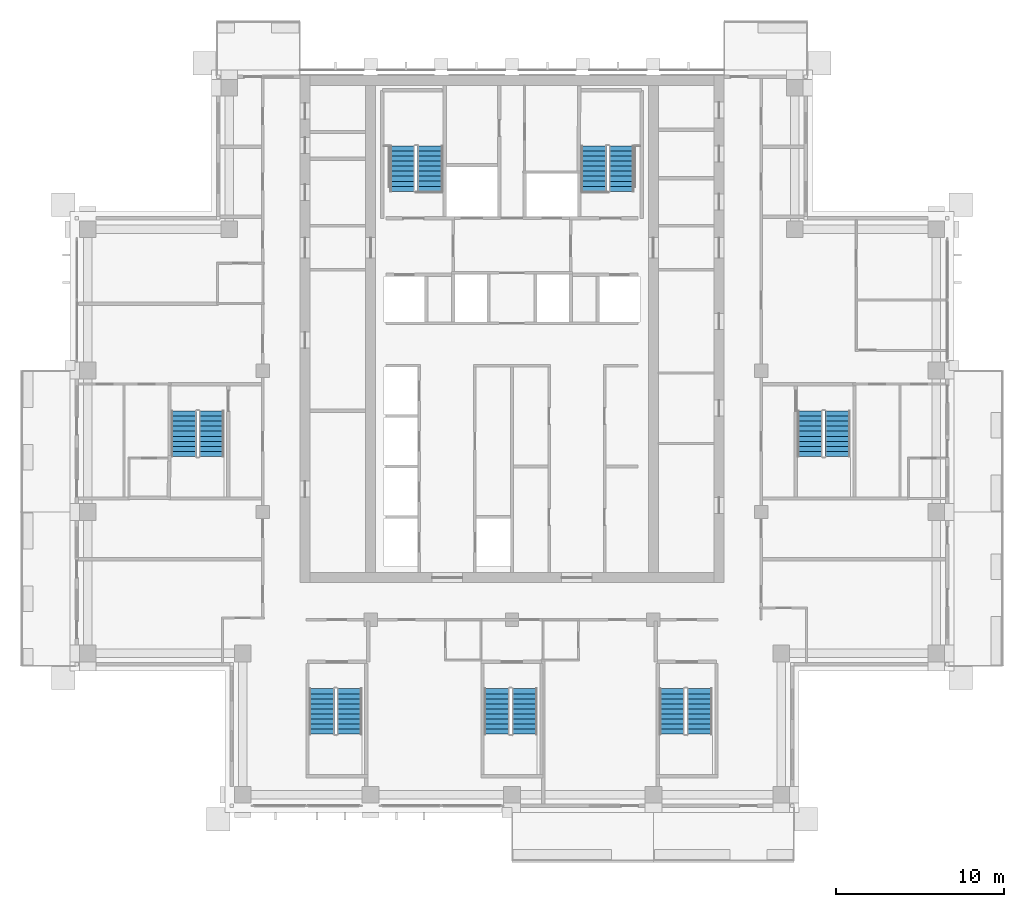
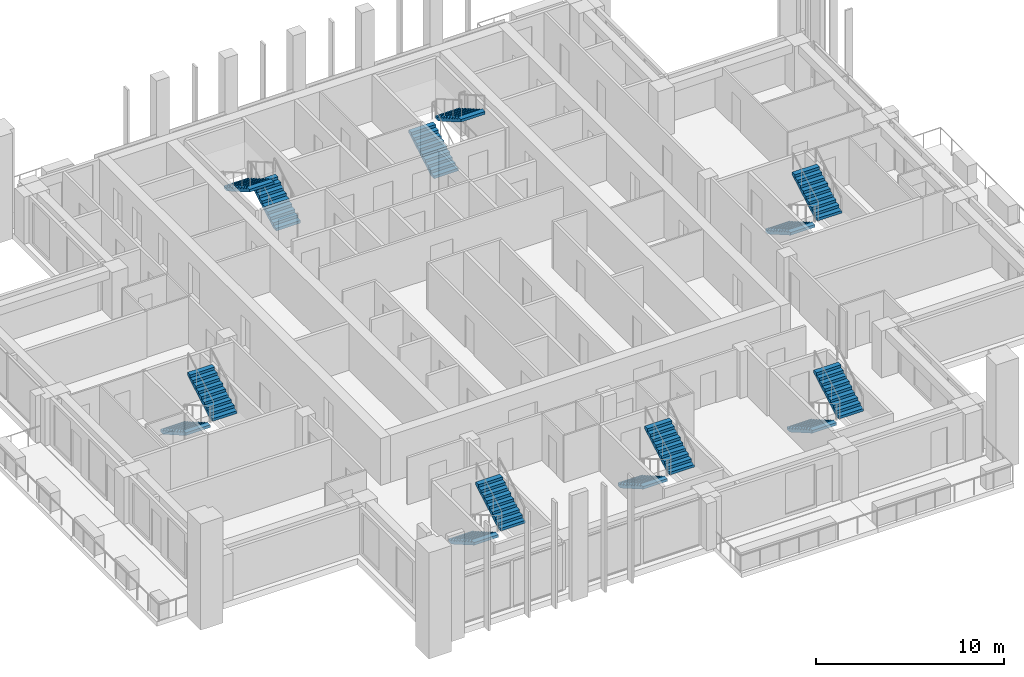
# One storey, part 14 of 18: 14 stair flights, 7 elements without a shape of their own.
"""IFC4 building model written with IfcOpenShell, lengths in metres."""

from ifc_helpers import new_model, si_unit, direction, frame, origin, place, context, subcontext, project, spatial, polyline, outline, extrude, material, type_object, element, aggregate, save


model = new_model("IFC4")

# Units and contexts
model_context = context("Model", 3, precision=1e-05, world=origin(), true_north=direction((0.0, 1.0)))
body_context = subcontext(model_context, "Body", "Model", "MODEL_VIEW")
ifc_project = project(units=[si_unit("LENGTHUNIT", "METRE"), si_unit("AREAUNIT", "SQUARE_METRE"), si_unit("VOLUMEUNIT", "CUBIC_METRE"), si_unit("PLANEANGLEUNIT", "RADIAN"), si_unit("MASSUNIT", "GRAM", prefix="KILO")], contexts=[model_context])

# Site, building, storey
site_placement = place(None, origin())
site = spatial("IfcSite", under=ifc_project, at=site_placement, CompositionType="ELEMENT")
building_placement = place(site_placement, origin())
building = spatial("IfcBuilding", under=site, at=building_placement, Name="Vermilion Ogive Tower", CompositionType="ELEMENT")
storey_placement = place(building_placement, frame((0.0, 0.0, 199.699951171875)))
storey = spatial("IfcBuildingStorey", under=building, at=storey_placement, Name="L52", CompositionType="ELEMENT", Elevation=199.699951171875)

# Stair, stair flights
ifc_material_1 = material(Name="Concrete B40", Category="concrete")
stair_type = type_object("IfcStairType", Name="Exit stair 1500", PredefinedType="HALF_TURN_STAIR", material=ifc_material_1)
stair_1_placement = place(storey_placement, origin())
stair_1 = element("IfcStair", 1, at=stair_1_placement, inside=storey, type_object=stair_type, Name="L52 Exit Stair ST1", PredefinedType="HALF_TURN_STAIR")
ifc_material_2 = material(Name="Concrete B40", Category="concrete")
stair_flight_type = type_object("IfcStairFlightType", Name="Stair flight 1500", PredefinedType="STRAIGHT", material=ifc_material_2)
stair_flight_1_placement = place(storey_placement, frame((-4.85009765625, 14.85009765625, 0.0), z_axis=(0.0, 0.0, 1.0), x_axis=(0.0, 1.0, 0.0)))
stair_flight_1 = element("IfcStairFlight", 2, at=stair_flight_1_placement, type_object=stair_flight_type, Name="ST1 flight 1", NumberOfRisers=10, NumberOfTreads=9, PredefinedType="STRAIGHT", RiserHeight=0.1725, TreadLength=0.3, context=body_context, shape_type="SweptSolid", body=[
    extrude(outline(polyline([(0.0, 0.0), (0.0, 0.172607421875), (0.300048828125, 0.172607421875), (0.300048828125, 0.344970703125), (0.60009765625, 0.344970703125), (0.60009765625, 0.517578125), (0.89990234375, 0.517578125), (0.89990234375, 0.68994140625), (1.199951171875, 0.68994140625), (1.199951171875, 0.862548828125), (1.5, 0.862548828125), (1.5, 1.034912109375), (1.800048828125, 1.034912109375), (1.800048828125, 1.20751953125), (2.10009765625, 1.20751953125), (2.10009765625, 1.3798828125), (2.39990234375, 1.3798828125), (2.39990234375, 1.552490234375), (2.699951171875, 1.552490234375), (2.699951171875, 1.72509765625), (2.699951171875, 1.379638671875), (0.30078125, 0.0), (0.0, 0.0)])), frame((0.0, 0.75, 0.0), z_axis=(0.0, -1.0, 0.0), x_axis=(1.0, 0.0, 0.0)), (0.0, 0.0, 1.0), 1.5),
])
stair_flight_2_placement = place(storey_placement, frame((-6.5, 17.550048828125, 1.72509765625), z_axis=(0.0, 0.0, 1.0), x_axis=(0.0, -1.0, 0.0)))
stair_flight_2 = element("IfcStairFlight", 3, at=stair_flight_2_placement, type_object=stair_flight_type, Name="ST1 flight 2", NumberOfRisers=10, NumberOfTreads=9, PredefinedType="STRAIGHT", RiserHeight=0.1725, TreadLength=0.3, context=body_context, shape_type="SweptSolid", body=[
    extrude(outline(polyline([(0.0, 0.0), (0.0, 0.172607421875), (0.300048828125, 0.172607421875), (0.300048828125, 0.344970703125), (0.60009765625, 0.344970703125), (0.60009765625, 0.517578125), (0.89990234375, 0.517578125), (0.89990234375, 0.68994140625), (1.199951171875, 0.68994140625), (1.199951171875, 0.862548828125), (1.5, 0.862548828125), (1.5, 1.034912109375), (1.800048828125, 1.034912109375), (1.800048828125, 1.20751953125), (2.10009765625, 1.20751953125), (2.10009765625, 1.3798828125), (2.39990234375, 1.3798828125), (2.39990234375, 1.552490234375), (2.699951171875, 1.552490234375), (2.699951171875, 1.72509765625), (2.699951171875, 1.379638671875), (0.30078125, 0.0), (0.0, 0.0)])), frame((0.0, 0.75, 0.0), z_axis=(0.0, -1.0, 0.0), x_axis=(1.0, 0.0, 0.0)), (0.0, 0.0, 1.0), 1.5),
])
aggregate(stair_1, [stair_flight_1, stair_flight_2])

stair_2_placement = place(storey_placement, origin())
stair_2 = element("IfcStair", 4, at=stair_2_placement, inside=storey, type_object=stair_type, Name="L52 Exit Stair ST2", PredefinedType="HALF_TURN_STAIR")
stair_flight_3_placement = place(storey_placement, frame((4.85009765625, 14.85009765625, 0.0), z_axis=(0.0, 0.0, 1.0), x_axis=(0.0, 1.0, 0.0)))
stair_flight_3 = element("IfcStairFlight", 5, at=stair_flight_3_placement, type_object=stair_flight_type, Name="ST2 flight 1", NumberOfRisers=10, NumberOfTreads=9, PredefinedType="STRAIGHT", RiserHeight=0.1725, TreadLength=0.3, context=body_context, shape_type="SweptSolid", body=[
    extrude(outline(polyline([(0.0, 0.0), (0.0, 0.172607421875), (0.300048828125, 0.172607421875), (0.300048828125, 0.344970703125), (0.60009765625, 0.344970703125), (0.60009765625, 0.517578125), (0.89990234375, 0.517578125), (0.89990234375, 0.68994140625), (1.199951171875, 0.68994140625), (1.199951171875, 0.862548828125), (1.5, 0.862548828125), (1.5, 1.034912109375), (1.800048828125, 1.034912109375), (1.800048828125, 1.20751953125), (2.10009765625, 1.20751953125), (2.10009765625, 1.3798828125), (2.39990234375, 1.3798828125), (2.39990234375, 1.552490234375), (2.699951171875, 1.552490234375), (2.699951171875, 1.72509765625), (2.699951171875, 1.379638671875), (0.30078125, 0.0), (0.0, 0.0)])), frame((0.0, 0.75, 0.0), z_axis=(0.0, -1.0, 0.0), x_axis=(1.0, 0.0, 0.0)), (0.0, 0.0, 1.0), 1.5),
])
stair_flight_4_placement = place(storey_placement, frame((6.5, 17.550048828125, 1.72509765625), z_axis=(0.0, 0.0, 1.0), x_axis=(0.0, -1.0, 0.0)))
stair_flight_4 = element("IfcStairFlight", 6, at=stair_flight_4_placement, type_object=stair_flight_type, Name="ST2 flight 2", NumberOfRisers=10, NumberOfTreads=9, PredefinedType="STRAIGHT", RiserHeight=0.1725, TreadLength=0.3, context=body_context, shape_type="SweptSolid", body=[
    extrude(outline(polyline([(0.0, 0.0), (0.0, 0.172607421875), (0.300048828125, 0.172607421875), (0.300048828125, 0.344970703125), (0.60009765625, 0.344970703125), (0.60009765625, 0.517578125), (0.89990234375, 0.517578125), (0.89990234375, 0.68994140625), (1.199951171875, 0.68994140625), (1.199951171875, 0.862548828125), (1.5, 0.862548828125), (1.5, 1.034912109375), (1.800048828125, 1.034912109375), (1.800048828125, 1.20751953125), (2.10009765625, 1.20751953125), (2.10009765625, 1.3798828125), (2.39990234375, 1.3798828125), (2.39990234375, 1.552490234375), (2.699951171875, 1.552490234375), (2.699951171875, 1.72509765625), (2.699951171875, 1.379638671875), (0.30078125, 0.0), (0.0, 0.0)])), frame((0.0, 0.75, 0.0), z_axis=(0.0, -1.0, 0.0), x_axis=(1.0, 0.0, 0.0)), (0.0, 0.0, 1.0), 1.5),
])
aggregate(stair_2, [stair_flight_3, stair_flight_4])

stair_3_placement = place(storey_placement, origin())
stair_3 = element("IfcStair", 7, at=stair_3_placement, inside=storey, type_object=stair_type, Name="L52 Exit Stair ST3", PredefinedType="HALF_TURN_STAIR")
stair_flight_5_placement = place(storey_placement, frame((-11.300048828125, -14.699951171875, 0.0), z_axis=(0.0, 0.0, 1.0), x_axis=(0.0, -1.0, 0.0)))
stair_flight_5 = element("IfcStairFlight", 8, at=stair_flight_5_placement, type_object=stair_flight_type, Name="ST3 flight 1", NumberOfRisers=10, NumberOfTreads=9, PredefinedType="STRAIGHT", RiserHeight=0.1725, TreadLength=0.3, context=body_context, shape_type="SweptSolid", body=[
    extrude(outline(polyline([(0.0, 0.0), (0.0, 0.172607421875), (0.300048828125, 0.172607421875), (0.300048828125, 0.344970703125), (0.60009765625, 0.344970703125), (0.60009765625, 0.517578125), (0.89990234375, 0.517578125), (0.89990234375, 0.68994140625), (1.199951171875, 0.68994140625), (1.199951171875, 0.862548828125), (1.5, 0.862548828125), (1.5, 1.034912109375), (1.800048828125, 1.034912109375), (1.800048828125, 1.20751953125), (2.10009765625, 1.20751953125), (2.10009765625, 1.3798828125), (2.39990234375, 1.3798828125), (2.39990234375, 1.552490234375), (2.699951171875, 1.552490234375), (2.699951171875, 1.72509765625), (2.699951171875, 1.379638671875), (0.30078125, 0.0), (0.0, 0.0)])), frame((0.0, 0.75, 0.0), z_axis=(0.0, -1.0, 0.0), x_axis=(1.0, 0.0, 0.0)), (0.0, 0.0, 1.0), 1.5),
])
stair_flight_6_placement = place(storey_placement, frame((-9.64990234375, -17.39990234375, 1.72509765625), z_axis=(0.0, 0.0, 1.0), x_axis=(0.0, 1.0, 0.0)))
stair_flight_6 = element("IfcStairFlight", 9, at=stair_flight_6_placement, type_object=stair_flight_type, Name="ST3 flight 2", NumberOfRisers=10, NumberOfTreads=9, PredefinedType="STRAIGHT", RiserHeight=0.1725, TreadLength=0.3, context=body_context, shape_type="SweptSolid", body=[
    extrude(outline(polyline([(0.0, 0.0), (0.0, 0.172607421875), (0.300048828125, 0.172607421875), (0.300048828125, 0.344970703125), (0.60009765625, 0.344970703125), (0.60009765625, 0.517578125), (0.89990234375, 0.517578125), (0.89990234375, 0.68994140625), (1.199951171875, 0.68994140625), (1.199951171875, 0.862548828125), (1.5, 0.862548828125), (1.5, 1.034912109375), (1.800048828125, 1.034912109375), (1.800048828125, 1.20751953125), (2.10009765625, 1.20751953125), (2.10009765625, 1.3798828125), (2.39990234375, 1.3798828125), (2.39990234375, 1.552490234375), (2.699951171875, 1.552490234375), (2.699951171875, 1.72509765625), (2.699951171875, 1.379638671875), (0.30078125, 0.0), (0.0, 0.0)])), frame((0.0, 0.75, 0.0), z_axis=(0.0, -1.0, 0.0), x_axis=(1.0, 0.0, 0.0)), (0.0, 0.0, 1.0), 1.5),
])
aggregate(stair_3, [stair_flight_5, stair_flight_6])

stair_4_placement = place(storey_placement, origin())
stair_4 = element("IfcStair", 10, at=stair_4_placement, inside=storey, type_object=stair_type, Name="L52 Exit Stair ST4", PredefinedType="HALF_TURN_STAIR")
stair_flight_7_placement = place(storey_placement, frame((-0.89990234375, -14.699951171875, 0.0), z_axis=(0.0, 0.0, 1.0), x_axis=(0.0, -1.0, 0.0)))
stair_flight_7 = element("IfcStairFlight", 11, at=stair_flight_7_placement, type_object=stair_flight_type, Name="ST4 flight 1", NumberOfRisers=10, NumberOfTreads=9, PredefinedType="STRAIGHT", RiserHeight=0.1725, TreadLength=0.3, context=body_context, shape_type="SweptSolid", body=[
    extrude(outline(polyline([(0.0, 0.0), (0.0, 0.172607421875), (0.300048828125, 0.172607421875), (0.300048828125, 0.344970703125), (0.60009765625, 0.344970703125), (0.60009765625, 0.517578125), (0.89990234375, 0.517578125), (0.89990234375, 0.68994140625), (1.199951171875, 0.68994140625), (1.199951171875, 0.862548828125), (1.5, 0.862548828125), (1.5, 1.034912109375), (1.800048828125, 1.034912109375), (1.800048828125, 1.20751953125), (2.10009765625, 1.20751953125), (2.10009765625, 1.3798828125), (2.39990234375, 1.3798828125), (2.39990234375, 1.552490234375), (2.699951171875, 1.552490234375), (2.699951171875, 1.72509765625), (2.699951171875, 1.379638671875), (0.30078125, 0.0), (0.0, 0.0)])), frame((0.0, 0.75, 0.0), z_axis=(0.0, -1.0, 0.0), x_axis=(1.0, 0.0, 0.0)), (0.0, 0.0, 1.0), 1.5),
])
stair_flight_8_placement = place(storey_placement, frame((0.75, -17.39990234375, 1.72509765625), z_axis=(0.0, 0.0, 1.0), x_axis=(0.0, 1.0, 0.0)))
stair_flight_8 = element("IfcStairFlight", 12, at=stair_flight_8_placement, type_object=stair_flight_type, Name="ST4 flight 2", NumberOfRisers=10, NumberOfTreads=9, PredefinedType="STRAIGHT", RiserHeight=0.1725, TreadLength=0.3, context=body_context, shape_type="SweptSolid", body=[
    extrude(outline(polyline([(0.0, 0.0), (0.0, 0.172607421875), (0.300048828125, 0.172607421875), (0.300048828125, 0.344970703125), (0.60009765625, 0.344970703125), (0.60009765625, 0.517578125), (0.89990234375, 0.517578125), (0.89990234375, 0.68994140625), (1.199951171875, 0.68994140625), (1.199951171875, 0.862548828125), (1.5, 0.862548828125), (1.5, 1.034912109375), (1.800048828125, 1.034912109375), (1.800048828125, 1.20751953125), (2.10009765625, 1.20751953125), (2.10009765625, 1.3798828125), (2.39990234375, 1.3798828125), (2.39990234375, 1.552490234375), (2.699951171875, 1.552490234375), (2.699951171875, 1.72509765625), (2.699951171875, 1.379638671875), (0.30078125, 0.0), (0.0, 0.0)])), frame((0.0, 0.75, 0.0), z_axis=(0.0, -1.0, 0.0), x_axis=(1.0, 0.0, 0.0)), (0.0, 0.0, 1.0), 1.5),
])
aggregate(stair_4, [stair_flight_7, stair_flight_8])

stair_5_placement = place(storey_placement, origin())
stair_5 = element("IfcStair", 13, at=stair_5_placement, inside=storey, type_object=stair_type, Name="L52 Exit Stair ST5", PredefinedType="HALF_TURN_STAIR")
stair_flight_9_placement = place(storey_placement, frame((9.5, -14.699951171875, 0.0), z_axis=(0.0, 0.0, 1.0), x_axis=(0.0, -1.0, 0.0)))
stair_flight_9 = element("IfcStairFlight", 14, at=stair_flight_9_placement, type_object=stair_flight_type, Name="ST5 flight 1", NumberOfRisers=10, NumberOfTreads=9, PredefinedType="STRAIGHT", RiserHeight=0.1725, TreadLength=0.3, context=body_context, shape_type="SweptSolid", body=[
    extrude(outline(polyline([(0.0, 0.0), (0.0, 0.172607421875), (0.300048828125, 0.172607421875), (0.300048828125, 0.344970703125), (0.60009765625, 0.344970703125), (0.60009765625, 0.517578125), (0.89990234375, 0.517578125), (0.89990234375, 0.68994140625), (1.199951171875, 0.68994140625), (1.199951171875, 0.862548828125), (1.5, 0.862548828125), (1.5, 1.034912109375), (1.800048828125, 1.034912109375), (1.800048828125, 1.20751953125), (2.10009765625, 1.20751953125), (2.10009765625, 1.3798828125), (2.39990234375, 1.3798828125), (2.39990234375, 1.552490234375), (2.699951171875, 1.552490234375), (2.699951171875, 1.72509765625), (2.699951171875, 1.379638671875), (0.30078125, 0.0), (0.0, 0.0)])), frame((0.0, 0.75, 0.0), z_axis=(0.0, -1.0, 0.0), x_axis=(1.0, 0.0, 0.0)), (0.0, 0.0, 1.0), 1.5),
])
stair_flight_10_placement = place(storey_placement, frame((11.14990234375, -17.39990234375, 1.72509765625), z_axis=(0.0, 0.0, 1.0), x_axis=(0.0, 1.0, 0.0)))
stair_flight_10 = element("IfcStairFlight", 15, at=stair_flight_10_placement, type_object=stair_flight_type, Name="ST5 flight 2", NumberOfRisers=10, NumberOfTreads=9, PredefinedType="STRAIGHT", RiserHeight=0.1725, TreadLength=0.3, context=body_context, shape_type="SweptSolid", body=[
    extrude(outline(polyline([(0.0, 0.0), (0.0, 0.172607421875), (0.300048828125, 0.172607421875), (0.300048828125, 0.344970703125), (0.60009765625, 0.344970703125), (0.60009765625, 0.517578125), (0.89990234375, 0.517578125), (0.89990234375, 0.68994140625), (1.199951171875, 0.68994140625), (1.199951171875, 0.862548828125), (1.5, 0.862548828125), (1.5, 1.034912109375), (1.800048828125, 1.034912109375), (1.800048828125, 1.20751953125), (2.10009765625, 1.20751953125), (2.10009765625, 1.3798828125), (2.39990234375, 1.3798828125), (2.39990234375, 1.552490234375), (2.699951171875, 1.552490234375), (2.699951171875, 1.72509765625), (2.699951171875, 1.379638671875), (0.30078125, 0.0), (0.0, 0.0)])), frame((0.0, 0.75, 0.0), z_axis=(0.0, -1.0, 0.0), x_axis=(1.0, 0.0, 0.0)), (0.0, 0.0, 1.0), 1.5),
])
aggregate(stair_5, [stair_flight_9, stair_flight_10])

stair_6_placement = place(storey_placement, origin())
stair_6 = element("IfcStair", 16, at=stair_6_placement, inside=storey, type_object=stair_type, Name="L52 Exit Stair ST8", PredefinedType="HALF_TURN_STAIR")
stair_flight_11_placement = place(storey_placement, frame((17.699951171875, 1.800048828125, 0.0), z_axis=(0.0, 0.0, 1.0), x_axis=(0.0, -1.0, 0.0)))
stair_flight_11 = element("IfcStairFlight", 17, at=stair_flight_11_placement, type_object=stair_flight_type, Name="ST8 flight 1", NumberOfRisers=10, NumberOfTreads=9, PredefinedType="STRAIGHT", RiserHeight=0.1725, TreadLength=0.3, context=body_context, shape_type="SweptSolid", body=[
    extrude(outline(polyline([(0.0, 0.0), (0.0, 0.172607421875), (0.300048828125, 0.172607421875), (0.300048828125, 0.344970703125), (0.60009765625, 0.344970703125), (0.60009765625, 0.517578125), (0.89990234375, 0.517578125), (0.89990234375, 0.68994140625), (1.199951171875, 0.68994140625), (1.199951171875, 0.862548828125), (1.5, 0.862548828125), (1.5, 1.034912109375), (1.800048828125, 1.034912109375), (1.800048828125, 1.20751953125), (2.10009765625, 1.20751953125), (2.10009765625, 1.3798828125), (2.39990234375, 1.3798828125), (2.39990234375, 1.552490234375), (2.699951171875, 1.552490234375), (2.699951171875, 1.72509765625), (2.699951171875, 1.379638671875), (0.30078125, 0.0), (0.0, 0.0)])), frame((0.0, 0.75, 0.0), z_axis=(0.0, -1.0, 0.0), x_axis=(1.0, 0.0, 0.0)), (0.0, 0.0, 1.0), 1.5),
])
stair_flight_12_placement = place(storey_placement, frame((19.35009765625, -0.89990234375, 1.72509765625), z_axis=(0.0, 0.0, 1.0), x_axis=(0.0, 1.0, 0.0)))
stair_flight_12 = element("IfcStairFlight", 18, at=stair_flight_12_placement, type_object=stair_flight_type, Name="ST8 flight 2", NumberOfRisers=10, NumberOfTreads=9, PredefinedType="STRAIGHT", RiserHeight=0.1725, TreadLength=0.3, context=body_context, shape_type="SweptSolid", body=[
    extrude(outline(polyline([(0.0, 0.0), (0.0, 0.172607421875), (0.300048828125, 0.172607421875), (0.300048828125, 0.344970703125), (0.60009765625, 0.344970703125), (0.60009765625, 0.517578125), (0.89990234375, 0.517578125), (0.89990234375, 0.68994140625), (1.199951171875, 0.68994140625), (1.199951171875, 0.862548828125), (1.5, 0.862548828125), (1.5, 1.034912109375), (1.800048828125, 1.034912109375), (1.800048828125, 1.20751953125), (2.10009765625, 1.20751953125), (2.10009765625, 1.3798828125), (2.39990234375, 1.3798828125), (2.39990234375, 1.552490234375), (2.699951171875, 1.552490234375), (2.699951171875, 1.72509765625), (2.699951171875, 1.379638671875), (0.30078125, 0.0), (0.0, 0.0)])), frame((0.0, 0.75, 0.0), z_axis=(0.0, -1.0, 0.0), x_axis=(1.0, 0.0, 0.0)), (0.0, 0.0, 1.0), 1.5),
])
aggregate(stair_6, [stair_flight_11, stair_flight_12])

stair_7_placement = place(storey_placement, origin())
stair_7 = element("IfcStair", 19, at=stair_7_placement, inside=storey, type_object=stair_type, Name="L52 Exit Stair ST9", PredefinedType="HALF_TURN_STAIR")
stair_flight_13_placement = place(storey_placement, frame((-19.5, 1.800048828125, 0.0), z_axis=(0.0, 0.0, 1.0), x_axis=(0.0, -1.0, 0.0)))
stair_flight_13 = element("IfcStairFlight", 20, at=stair_flight_13_placement, type_object=stair_flight_type, Name="ST9 flight 1", NumberOfRisers=10, NumberOfTreads=9, PredefinedType="STRAIGHT", RiserHeight=0.1725, TreadLength=0.3, context=body_context, shape_type="SweptSolid", body=[
    extrude(outline(polyline([(0.0, 0.0), (0.0, 0.172607421875), (0.300048828125, 0.172607421875), (0.300048828125, 0.344970703125), (0.60009765625, 0.344970703125), (0.60009765625, 0.517578125), (0.89990234375, 0.517578125), (0.89990234375, 0.68994140625), (1.199951171875, 0.68994140625), (1.199951171875, 0.862548828125), (1.5, 0.862548828125), (1.5, 1.034912109375), (1.800048828125, 1.034912109375), (1.800048828125, 1.20751953125), (2.10009765625, 1.20751953125), (2.10009765625, 1.3798828125), (2.39990234375, 1.3798828125), (2.39990234375, 1.552490234375), (2.699951171875, 1.552490234375), (2.699951171875, 1.72509765625), (2.699951171875, 1.379638671875), (0.30078125, 0.0), (0.0, 0.0)])), frame((0.0, 0.75, 0.0), z_axis=(0.0, -1.0, 0.0), x_axis=(1.0, 0.0, 0.0)), (0.0, 0.0, 1.0), 1.5),
])
stair_flight_14_placement = place(storey_placement, frame((-17.85009765625, -0.89990234375, 1.72509765625), z_axis=(0.0, 0.0, 1.0), x_axis=(0.0, 1.0, 0.0)))
stair_flight_14 = element("IfcStairFlight", 21, at=stair_flight_14_placement, type_object=stair_flight_type, Name="ST9 flight 2", NumberOfRisers=10, NumberOfTreads=9, PredefinedType="STRAIGHT", RiserHeight=0.1725, TreadLength=0.3, context=body_context, shape_type="SweptSolid", body=[
    extrude(outline(polyline([(0.0, 0.0), (0.0, 0.172607421875), (0.300048828125, 0.172607421875), (0.300048828125, 0.344970703125), (0.60009765625, 0.344970703125), (0.60009765625, 0.517578125), (0.89990234375, 0.517578125), (0.89990234375, 0.68994140625), (1.199951171875, 0.68994140625), (1.199951171875, 0.862548828125), (1.5, 0.862548828125), (1.5, 1.034912109375), (1.800048828125, 1.034912109375), (1.800048828125, 1.20751953125), (2.10009765625, 1.20751953125), (2.10009765625, 1.3798828125), (2.39990234375, 1.3798828125), (2.39990234375, 1.552490234375), (2.699951171875, 1.552490234375), (2.699951171875, 1.72509765625), (2.699951171875, 1.379638671875), (0.30078125, 0.0), (0.0, 0.0)])), frame((0.0, 0.75, 0.0), z_axis=(0.0, -1.0, 0.0), x_axis=(1.0, 0.0, 0.0)), (0.0, 0.0, 1.0), 1.5),
])
aggregate(stair_7, [stair_flight_13, stair_flight_14])

save(model, "model.ifc")
